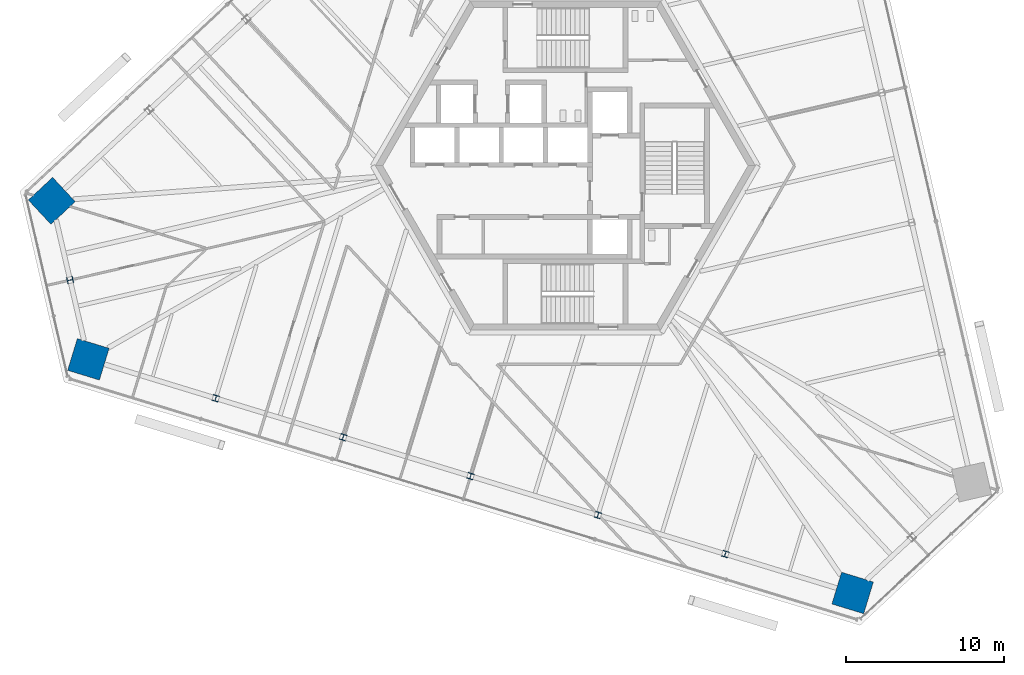
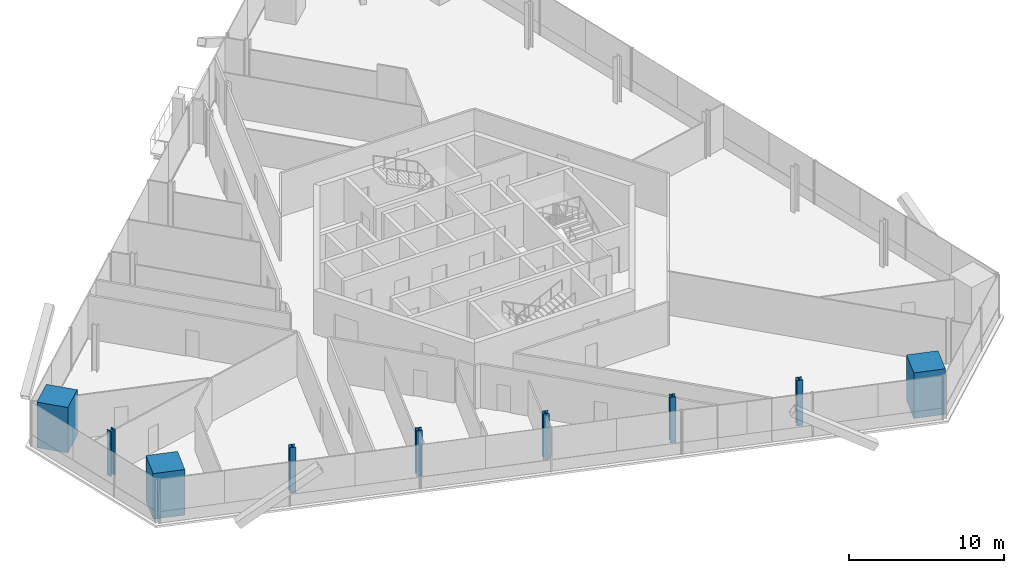
# One storey, part 1 of 18: 9 columns.
"""IFC4 building model written with IfcOpenShell, lengths in metres."""

from ifc_helpers import new_model, si_unit, direction, frame, origin, origin_2d, place, context, subcontext, project, spatial, rectangle, i_section, extrude, source, transform, mapped, material, material_profile, profile_set, type_object, element, save


model = new_model("IFC4")

# Units and contexts
model_context = context("Model", 3, precision=1e-05, world=origin(), true_north=direction((0.0, 1.0)))
body_context = subcontext(model_context, "Body", "Model", "MODEL_VIEW")
ifc_project = project(units=[si_unit("LENGTHUNIT", "METRE"), si_unit("AREAUNIT", "SQUARE_METRE"), si_unit("VOLUMEUNIT", "CUBIC_METRE"), si_unit("PLANEANGLEUNIT", "RADIAN"), si_unit("MASSUNIT", "GRAM", prefix="KILO")], contexts=[model_context])

# Site, building, storey
site_placement = place(None, origin())
site = spatial("IfcSite", under=ifc_project, at=site_placement, CompositionType="ELEMENT")
building_placement = place(site_placement, origin())
building = spatial("IfcBuilding", under=site, at=building_placement, Name="Triune Harvest Tower", CompositionType="ELEMENT")
storey_placement = place(building_placement, frame((0.0, 0.0, 101.89990234375)))
storey = spatial("IfcBuildingStorey", under=building, at=storey_placement, Name="L25", CompositionType="ELEMENT", Elevation=101.89990234375)

# Columns
ifc_material_1 = material(Name="Concrete 70 MPa", Category="concrete")
ifc_material_profile_1 = material_profile(ifc_material_1, rectangle(XDim=2.10009765625, YDim=2.10009765625, at=origin_2d()), Name="Composite 2100x2100")
ifc_profile_set_1 = profile_set([ifc_material_profile_1], Name="Concrete 70 MPa")
column_type_1 = type_object("IfcColumnType", Name="MC-3 Mega column Composite 2100x2100", PredefinedType="COLUMN", material=ifc_profile_set_1)
shared_shape_1 = source(origin(), body_context, "Body", "SweptSolid", [
    extrude(rectangle(XDim=2.10009765625, YDim=2.10009765625, at=origin_2d()), origin(), (0.0, 0.0, 1.0), 3.60009765625),
])
for number, where, z_axis, x_axis, name in (
    (1, (-32.446533203125, -2.218994140625, 0.0), (0.0, 0.0, 1.0), (-0.73135489193, -0.681997083608, 0.0), "col/L25/M14"),
    (2, (-30.135498046875, -12.22900390625, 0.0), (0.0, 0.0, 1.0), (0.956304755963, -0.292371704723, 0.0), "col/L25/M16"),
    (3, (18.14501953125, -26.989990234375, 0.0), (0.0, 0.0, 1.0), (0.956304755963, -0.292371704723, 0.0), "col/L25/M22"),
):
    element("IfcColumn", number, at=place(storey_placement, frame(where, z_axis=z_axis, x_axis=x_axis)), inside=storey, type_object=column_type_1, Name=name, PredefinedType="COLUMN", context=body_context, shape_type="MappedRepresentation", body=[
        mapped(shared_shape_1, transform((0.0, 0.0, 0.0), scale=1.0)),
    ])
ifc_material_2 = material(Name="Steel ASTM A992 Gr 50", Category="steel")
ifc_material_profile_2 = material_profile(ifc_material_2, i_section(OverallWidth=0.396240234375, OverallDepth=0.381103515625, WebThickness=0.01904296875, FlangeThickness=0.0302734375, at=origin_2d()), Name="W14x159")
ifc_profile_set_2 = profile_set([ifc_material_profile_2], Name="Steel ASTM A992 Gr 50")
column_type_2 = type_object("IfcColumnType", Name="PC-3 Perimeter column W14x159", PredefinedType="COLUMN", material=ifc_profile_set_2)
shared_shape_2 = source(origin(), body_context, "Body", "SweptSolid", [
    extrude(i_section(OverallWidth=0.396240234375, OverallDepth=0.381103515625, WebThickness=0.01904296875, FlangeThickness=0.0302734375, at=origin_2d()), origin(), (0.0, 0.0, 1.0), 3.60009765625),
])
for number, where, z_axis, x_axis, name in (
    (4, (-31.291015625, -7.22412109375, 0.0), (0.0, 0.0, 1.0), (0.224951054344, -0.974370064785, 0.0), "col/L25/P15"),
    (5, (-22.0888671875, -14.689208984375, 0.0), (0.0, 0.0, 1.0), (0.956304755963, -0.292371704723, 0.0), "col/L25/P17"),
    (6, (-14.0419921875, -17.1494140625, 0.0), (0.0, 0.0, 1.0), (0.956304755963, -0.292371704723, 0.0), "col/L25/P18"),
    (7, (-5.995361328125, -19.609619140625, 0.0), (0.0, 0.0, 1.0), (0.956304755963, -0.292371704723, 0.0), "col/L25/P19"),
    (8, (2.051513671875, -22.069580078125, 0.0), (0.0, 0.0, 1.0), (0.956304755963, -0.292371704723, 0.0), "col/L25/P20"),
    (9, (10.098388671875, -24.52978515625, 0.0), (0.0, 0.0, 1.0), (0.956304755963, -0.292371704723, 0.0), "col/L25/P21"),
):
    element("IfcColumn", number, at=place(storey_placement, frame(where, z_axis=z_axis, x_axis=x_axis)), inside=storey, type_object=column_type_2, Name=name, PredefinedType="COLUMN", context=body_context, shape_type="MappedRepresentation", body=[
        mapped(shared_shape_2, transform((0.0, 0.0, 0.0), scale=1.0)),
    ])

save(model, "model.ifc")
